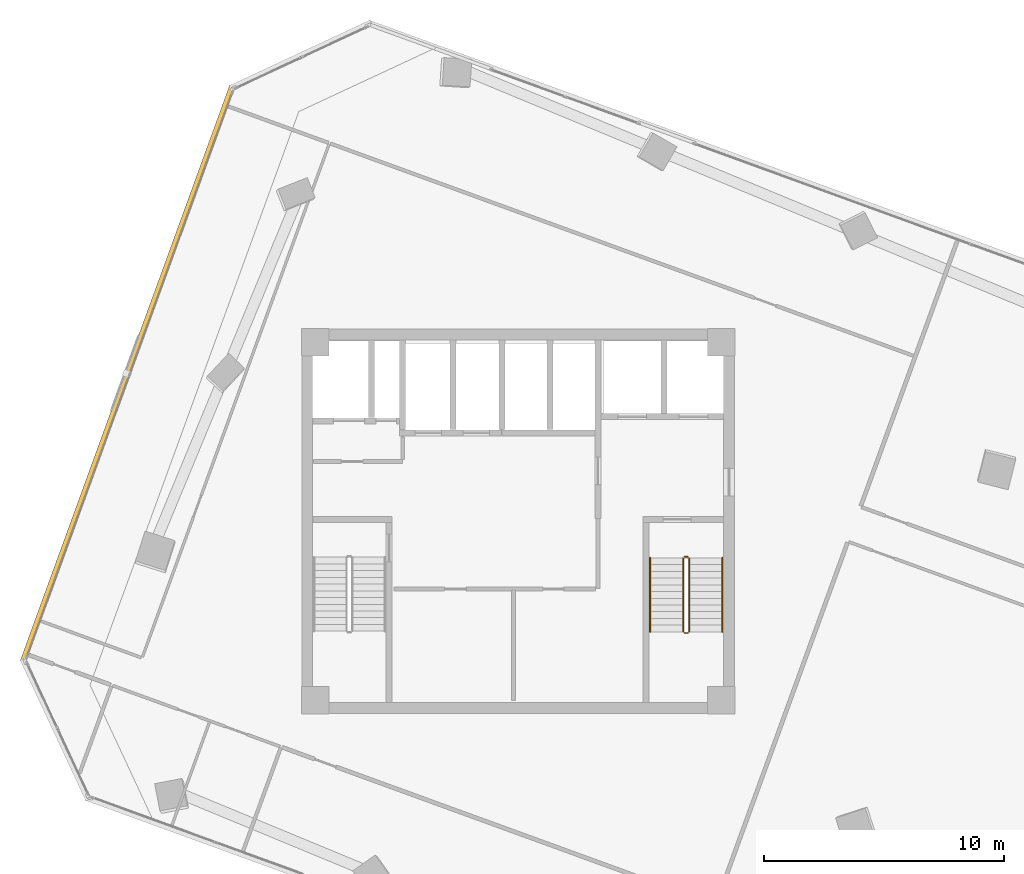
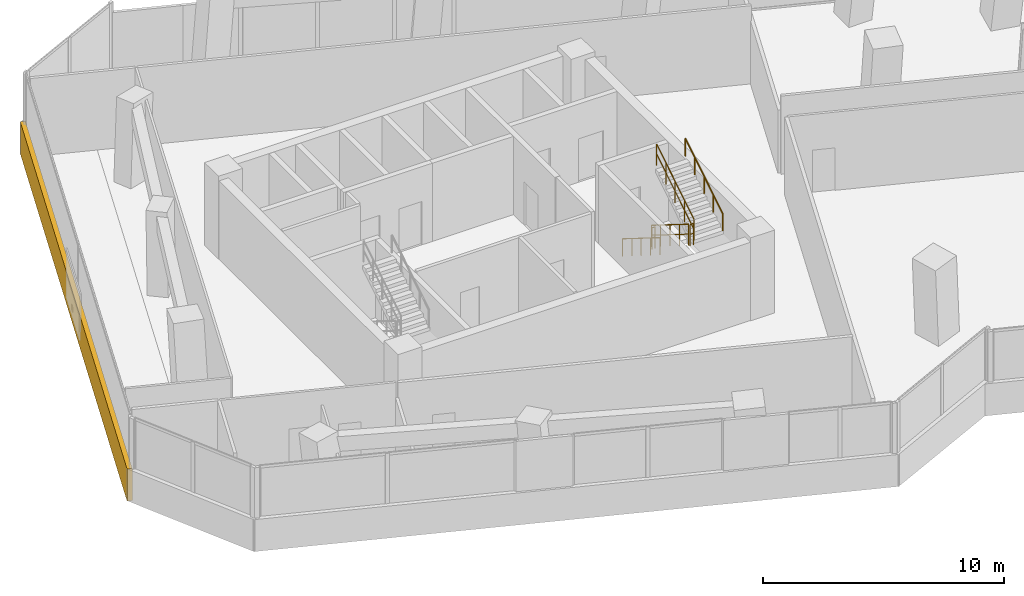
# One storey, part 19 of 21: 6 railings, 1 covering.
"""IFC4 building model written with IfcOpenShell, lengths in metres."""

from ifc_helpers import new_model, si_unit, direction, frame, origin, origin_2d, place, context, subcontext, project, spatial, rectangle, circle, extrude, source, transform, mapped, material, layer, layer_set, type_object, element, save


model = new_model("IFC4")

# Units and contexts
model_context = context("Model", 3, precision=1e-05, world=origin(), true_north=direction((0.0, 1.0)))
body_context = subcontext(model_context, "Body", "Model", "MODEL_VIEW")
ifc_project = project(units=[si_unit("LENGTHUNIT", "METRE"), si_unit("AREAUNIT", "SQUARE_METRE"), si_unit("VOLUMEUNIT", "CUBIC_METRE"), si_unit("PLANEANGLEUNIT", "RADIAN"), si_unit("MASSUNIT", "GRAM", prefix="KILO")], contexts=[model_context])

# Site, building, storey
site_placement = place(None, origin())
site = spatial("IfcSite", under=ifc_project, at=site_placement, CompositionType="ELEMENT")
building_placement = place(site_placement, origin())
building = spatial("IfcBuilding", under=site, at=building_placement, Name="Torre Montelarca", CompositionType="ELEMENT")
storey_placement = place(building_placement, frame((0.0, 0.0, 137.199951171875)))
storey = spatial("IfcBuildingStorey", under=building, at=storey_placement, Name="L30", CompositionType="ELEMENT", Elevation=137.199951171875)

# Railings
ifc_material_1 = material(Name="Powder-coated steel ASTM A500 Grade C", Category="steel")
railing_type_1 = type_object("IfcRailingType", Name="RL-GUARD-1100", PredefinedType="BALUSTRADE", material=ifc_material_1)
railing_1_placement = place(storey_placement, frame((24.8701171875, 30.469970703125, 0.175048828125)))
element("IfcRailing", 1, at=railing_1_placement, inside=storey, type_object=railing_type_1, Name="L30 ST2 stair guard 1", PredefinedType="BALUSTRADE", context=body_context, shape_type="SweptSolid", body=[
    extrude(circle(Radius=0.02392578125, at=origin_2d()), frame((0.0, 0.0, 1.076171875), z_axis=(0.0, -0.847998304005, 0.529998940003), x_axis=(1.0, 0.0, 0.0)), (0.0, 0.0, 1.0), 3.632080078125),
    extrude(circle(Radius=0.02099609375, at=origin_2d()), frame((0.0, 0.0, 0.572021484375), z_axis=(0.0, -0.847998304005, 0.529998940003), x_axis=(1.0, 0.0, 0.0)), (0.0, 0.0, 1.0), 3.632080078125),
    extrude(circle(Radius=0.02099609375, at=origin_2d()), origin(), (0.0, 0.0, 1.0), 1.052001953125),
    extrude(circle(Radius=0.02099609375, at=origin_2d()), frame((0.0, -0.77001953125, 0.481201171875)), (0.0, 0.0, 1.0), 1.052001953125),
    extrude(circle(Radius=0.02099609375, at=origin_2d()), frame((0.0, -1.5400390625, 0.96240234375)), (0.0, 0.0, 1.0), 1.052001953125),
    extrude(circle(Radius=0.02099609375, at=origin_2d()), frame((0.0, -2.31005859375, 1.44384765625)), (0.0, 0.0, 1.0), 1.052001953125),
    extrude(circle(Radius=0.02099609375, at=origin_2d()), frame((0.0, -3.080078125, 1.925048828125)), (0.0, 0.0, 1.0), 1.052001953125),
])
railing_2_placement = place(storey_placement, frame((24.919921875, 27.340087890625, 2.10009765625)))
element("IfcRailing", 2, at=railing_2_placement, inside=storey, type_object=railing_type_1, Name="L30 ST2 stair guard 2", PredefinedType="BALUSTRADE", context=body_context, shape_type="SweptSolid", body=[
    extrude(circle(Radius=0.02392578125, at=origin_2d()), frame((0.0, 0.0, 1.076171875), z_axis=(1.0, 0.0, 0.0), x_axis=(0.0, 1.0, 0.0)), (0.0, 0.0, 1.0), 0.150146484375),
    extrude(circle(Radius=0.02099609375, at=origin_2d()), frame((0.0, 0.0, 0.572021484375), z_axis=(1.0, 0.0, 0.0), x_axis=(0.0, 1.0, 0.0)), (0.0, 0.0, 1.0), 0.150146484375),
    extrude(circle(Radius=0.02099609375, at=origin_2d()), origin(), (0.0, 0.0, 1.0), 1.052001953125),
    extrude(circle(Radius=0.02099609375, at=origin_2d()), frame((0.150146484375, 0.0, 0.0)), (0.0, 0.0, 1.0), 1.052001953125),
])
railing_3_placement = place(storey_placement, frame((25.1201171875, 27.389892578125, 2.275146484375)))
element("IfcRailing", 3, at=railing_3_placement, inside=storey, type_object=railing_type_1, Name="L30 ST2 stair guard 3", PredefinedType="BALUSTRADE", context=body_context, shape_type="SweptSolid", body=[
    extrude(circle(Radius=0.02392578125, at=origin_2d()), frame((0.0, 0.0, 1.076171875), z_axis=(0.0, 0.848028513186, 0.529950602248), x_axis=(-1.0, 0.0, 0.0)), (0.0, 0.0, 1.0), 3.632080078125),
    extrude(circle(Radius=0.02099609375, at=origin_2d()), frame((0.0, 0.0, 0.572021484375), z_axis=(0.0, 0.848028513186, 0.529950602248), x_axis=(-1.0, 0.0, 0.0)), (0.0, 0.0, 1.0), 3.632080078125),
    extrude(circle(Radius=0.02099609375, at=origin_2d()), origin(), (0.0, 0.0, 1.0), 1.052001953125),
    extrude(circle(Radius=0.02099609375, at=origin_2d()), frame((0.0, 0.77001953125, 0.481201171875)), (0.0, 0.0, 1.0), 1.052001953125),
    extrude(circle(Radius=0.02099609375, at=origin_2d()), frame((0.0, 1.5400390625, 0.96240234375)), (0.0, 0.0, 1.0), 1.052001953125),
    extrude(circle(Radius=0.02099609375, at=origin_2d()), frame((0.0, 2.31005859375, 1.443603515625)), (0.0, 0.0, 1.0), 1.052001953125),
    extrude(circle(Radius=0.02099609375, at=origin_2d()), frame((0.0, 3.080078125, 1.9248046875)), (0.0, 0.0, 1.0), 1.052001953125),
])
railing_4_placement = place(storey_placement, frame((24.919921875, 30.52001953125, 0.0)))
element("IfcRailing", 4, at=railing_4_placement, inside=storey, type_object=railing_type_1, Name="L30 ST2 stair guard 4", PredefinedType="BALUSTRADE", context=body_context, shape_type="SweptSolid", body=[
    extrude(circle(Radius=0.02392578125, at=origin_2d()), frame((0.0, 0.0, 1.076171875), z_axis=(1.0, 0.0, 0.0), x_axis=(0.0, 1.0, 0.0)), (0.0, 0.0, 1.0), 0.150146484375),
    extrude(circle(Radius=0.02099609375, at=origin_2d()), frame((0.0, 0.0, 0.572021484375), z_axis=(1.0, 0.0, 0.0), x_axis=(0.0, 1.0, 0.0)), (0.0, 0.0, 1.0), 0.150146484375),
    extrude(circle(Radius=0.02099609375, at=origin_2d()), origin(), (0.0, 0.0, 1.0), 1.052001953125),
    extrude(circle(Radius=0.02099609375, at=origin_2d()), frame((0.150146484375, 0.0, 0.0)), (0.0, 0.0, 1.0), 1.052001953125),
])
ifc_material_2 = material(Name="Brushed stainless steel AISI 316", Category="steel")
railing_type_2 = type_object("IfcRailingType", Name="RL-HANDRAIL-900", PredefinedType="HANDRAIL", material=ifc_material_2)
railing_5_placement = place(storey_placement, frame((23.489990234375, 30.469970703125, 0.175048828125)))
element("IfcRailing", 5, at=railing_5_placement, inside=storey, type_object=railing_type_2, Name="L30 ST2 stair handrail 1", PredefinedType="HANDRAIL", context=body_context, shape_type="SweptSolid", body=[
    extrude(circle(Radius=0.02392578125, at=origin_2d()), frame((0.0, 0.0, 0.8759765625), z_axis=(0.0, -0.847998304005, 0.529998940003), x_axis=(1.0, 0.0, 0.0)), (0.0, 0.0, 1.0), 3.632080078125),
    extrude(circle(Radius=0.02099609375, at=origin_2d()), origin(), (0.0, 0.0, 1.0), 0.851806640625),
    extrude(circle(Radius=0.02099609375, at=origin_2d()), frame((0.0, -0.77001953125, 0.481201171875)), (0.0, 0.0, 1.0), 0.851806640625),
    extrude(circle(Radius=0.02099609375, at=origin_2d()), frame((0.0, -1.5400390625, 0.96240234375)), (0.0, 0.0, 1.0), 0.851806640625),
    extrude(circle(Radius=0.02099609375, at=origin_2d()), frame((0.0, -2.31005859375, 1.44384765625)), (0.0, 0.0, 1.0), 0.851806640625),
    extrude(circle(Radius=0.02099609375, at=origin_2d()), frame((0.0, -3.080078125, 1.925048828125)), (0.0, 0.0, 1.0), 0.851806640625),
])
railing_6_placement = place(storey_placement, frame((26.5, 27.389892578125, 2.275146484375)))
element("IfcRailing", 6, at=railing_6_placement, inside=storey, type_object=railing_type_2, Name="L30 ST2 stair handrail 2", PredefinedType="HANDRAIL", context=body_context, shape_type="SweptSolid", body=[
    extrude(circle(Radius=0.02392578125, at=origin_2d()), frame((0.0, 0.0, 0.8759765625), z_axis=(0.0, 0.848028513186, 0.529950602248), x_axis=(-1.0, 0.0, 0.0)), (0.0, 0.0, 1.0), 3.632080078125),
    extrude(circle(Radius=0.02099609375, at=origin_2d()), origin(), (0.0, 0.0, 1.0), 0.851806640625),
    extrude(circle(Radius=0.02099609375, at=origin_2d()), frame((0.0, 0.77001953125, 0.481201171875)), (0.0, 0.0, 1.0), 0.851806640625),
    extrude(circle(Radius=0.02099609375, at=origin_2d()), frame((0.0, 1.5400390625, 0.96240234375)), (0.0, 0.0, 1.0), 0.851806640625),
    extrude(circle(Radius=0.02099609375, at=origin_2d()), frame((0.0, 2.31005859375, 1.443603515625)), (0.0, 0.0, 1.0), 0.851806640625),
    extrude(circle(Radius=0.02099609375, at=origin_2d()), frame((0.0, 3.080078125, 1.9248046875)), (0.0, 0.0, 1.0), 0.851806640625),
])

# Covering
ifc_material_3 = material(Name="Bush-hammered warm white precast concrete C45/55", Category="concrete")
ifc_layer = layer(ifc_material_3, 0.139892578125, Name="Bush-hammered warm white precast concrete C45/55", Category="concrete")
ifc_layer_set = layer_set([ifc_layer], Name="Bush-hammered warm white precast concrete C45/55")
covering_type = type_object("IfcCoveringType", Name="COV-TRAY-CLAD", PredefinedType="CLADDING", material=ifc_layer_set)
shared_shape = source(origin(), body_context, "Body", "SweptSolid", [
    extrude(rectangle(XDim=25.52001953125, YDim=0.219970703125, at=origin_2d()), origin(), (0.0, 0.0, 1.0), 1.6201171875),
])
covering_placement = place(storey_placement, frame((1.734619140625, 38.1298828125, -0.449951171875), z_axis=(0.0, 0.0, 1.0), x_axis=(-0.342020143326, -0.939692620786, 0.0)))
element("IfcCovering", 7, at=covering_placement, inside=storey, type_object=covering_type, Name="L30 Architectural White Spandrel Tray Band TRYBOT-10", PredefinedType="CLADDING", context=body_context, shape_type="MappedRepresentation", body=[
    mapped(shared_shape, transform((0.0, 0.0, 0.0), scale=1.0)),
])

save(model, "model.ifc")
